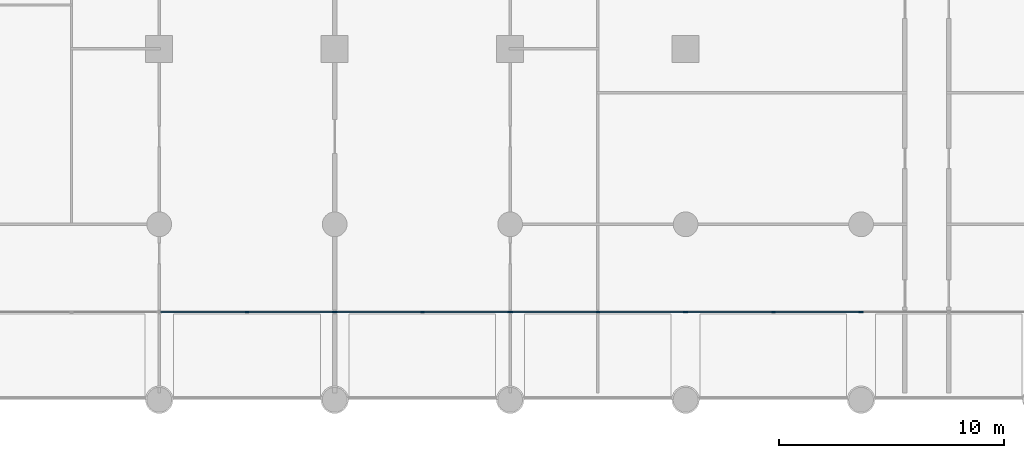
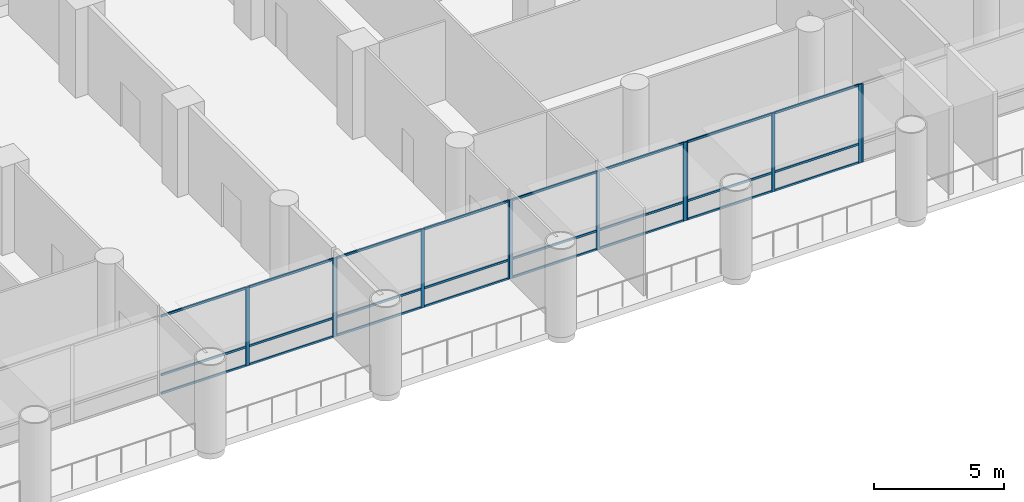
# One storey, part 4 of 23: 36 members, 5 elements without a shape of their own.
"""IFC4 building model written with IfcOpenShell, lengths in metres."""

from ifc_helpers import new_model, si_unit, direction, frame, origin, origin_2d, place, context, subcontext, project, spatial, rectangle, extrude, material, material_profile, profile_set, type_object, element, aggregate, save


model = new_model("IFC4")

# Units and contexts
model_context = context("Model", 3, precision=1e-05, world=origin(), true_north=direction((0.0, 1.0)))
body_context = subcontext(model_context, "Body", "Model", "MODEL_VIEW")
ifc_project = project(units=[si_unit("LENGTHUNIT", "METRE"), si_unit("AREAUNIT", "SQUARE_METRE"), si_unit("VOLUMEUNIT", "CUBIC_METRE"), si_unit("PLANEANGLEUNIT", "RADIAN"), si_unit("MASSUNIT", "GRAM", prefix="KILO")], contexts=[model_context])

# Site, building, storey
site_placement = place(None, origin())
site = spatial("IfcSite", under=ifc_project, at=site_placement, CompositionType="ELEMENT")
building_placement = place(site_placement, origin())
building = spatial("IfcBuilding", under=site, at=building_placement, Name="Ludao Terraces", CompositionType="ELEMENT")
storey_placement = place(building_placement, frame((0.0, 0.0, 10.5)))
storey = spatial("IfcBuildingStorey", under=building, at=storey_placement, Name="L02", CompositionType="ELEMENT", Elevation=10.5)

# Curtain wall, members
ifc_material_1 = material(Name="Aluminium curtain wall with fritted glass", Category="aluminium")
curtain_wall_type = type_object("IfcCurtainWallType", Name="ENV CW1 podium glazing", PredefinedType="NOTDEFINED", material=ifc_material_1)
curtain_wall_1_placement = place(storey_placement, origin())
curtain_wall_1 = element("IfcCurtainWall", 1, at=curtain_wall_1_placement, inside=storey, type_object=curtain_wall_type, Name="CW-L02-S5", PredefinedType="NOTDEFINED")
ifc_material_2 = material(Name="Aluminium 6063-T6", Category="aluminium")
ifc_material_profile_1 = material_profile(ifc_material_2, rectangle(XDim=0.06005859375, YDim=0.14990234375, at=origin_2d()), Name="60 X 150")
ifc_profile_set_1 = profile_set([ifc_material_profile_1], Name="Aluminium 6063-T6")
member_type_1 = type_object("IfcMemberType", Name="ENV CW1 mullion 60x150", PredefinedType="MULLION", material=ifc_profile_set_1)
member_1_placement = place(storey_placement, frame((81.10009765625, 29.89990234375, 0.0), z_axis=(0.0, 0.0, 1.0), x_axis=(0.0, 1.0, 0.0)))
member_1 = element("IfcMember", 2, at=member_1_placement, type_object=member_type_1, Name="CW1 mullion 2", PredefinedType="MULLION", context=body_context, shape_type="SweptSolid", body=[
    extrude(rectangle(XDim=0.06005859375, YDim=0.14990234375, at=origin_2d()), origin(), (0.0, 0.0, 1.0), 3.699951171875),
])
member_2_placement = place(storey_placement, frame((84.969970703125, 29.89990234375, 0.0), z_axis=(0.0, 0.0, 1.0), x_axis=(0.0, 1.0, 0.0)))
member_2 = element("IfcMember", 3, at=member_2_placement, type_object=member_type_1, Name="CW1 mullion 3", PredefinedType="MULLION", context=body_context, shape_type="SweptSolid", body=[
    extrude(rectangle(XDim=0.06005859375, YDim=0.14990234375, at=origin_2d()), origin(), (0.0, 0.0, 1.0), 3.699951171875),
])

curtain_wall_2_placement = place(storey_placement, origin())
curtain_wall_2 = element("IfcCurtainWall", 4, at=curtain_wall_2_placement, inside=storey, type_object=curtain_wall_type, Name="CW-L02-S6", PredefinedType="NOTDEFINED")
member_3_placement = place(storey_placement, frame((85.030029296875, 29.89990234375, 0.0), z_axis=(0.0, 0.0, 1.0), x_axis=(0.0, 1.0, 0.0)))
member_3 = element("IfcMember", 5, at=member_3_placement, type_object=member_type_1, Name="CW1 mullion 1", PredefinedType="MULLION", context=body_context, shape_type="SweptSolid", body=[
    extrude(rectangle(XDim=0.06005859375, YDim=0.14990234375, at=origin_2d()), origin(), (0.0, 0.0, 1.0), 3.699951171875),
])
member_4_placement = place(storey_placement, frame((88.89990234375, 29.89990234375, 0.0), z_axis=(0.0, 0.0, 1.0), x_axis=(0.0, 1.0, 0.0)))
member_4 = element("IfcMember", 6, at=member_4_placement, type_object=member_type_1, Name="CW1 mullion 2", PredefinedType="MULLION", context=body_context, shape_type="SweptSolid", body=[
    extrude(rectangle(XDim=0.06005859375, YDim=0.14990234375, at=origin_2d()), origin(), (0.0, 0.0, 1.0), 3.699951171875),
])
member_5_placement = place(storey_placement, frame((92.77001953125, 29.89990234375, 0.0), z_axis=(0.0, 0.0, 1.0), x_axis=(0.0, 1.0, 0.0)))
member_5 = element("IfcMember", 7, at=member_5_placement, type_object=member_type_1, Name="CW1 mullion 3", PredefinedType="MULLION", context=body_context, shape_type="SweptSolid", body=[
    extrude(rectangle(XDim=0.06005859375, YDim=0.14990234375, at=origin_2d()), origin(), (0.0, 0.0, 1.0), 3.699951171875),
])

curtain_wall_3_placement = place(storey_placement, origin())
curtain_wall_3 = element("IfcCurtainWall", 8, at=curtain_wall_3_placement, inside=storey, type_object=curtain_wall_type, Name="CW-L02-S7", PredefinedType="NOTDEFINED")
member_6_placement = place(storey_placement, frame((92.830078125, 29.89990234375, 0.0), z_axis=(0.0, 0.0, 1.0), x_axis=(0.0, 1.0, 0.0)))
member_6 = element("IfcMember", 9, at=member_6_placement, type_object=member_type_1, Name="CW1 mullion 1", PredefinedType="MULLION", context=body_context, shape_type="SweptSolid", body=[
    extrude(rectangle(XDim=0.06005859375, YDim=0.14990234375, at=origin_2d()), origin(), (0.0, 0.0, 1.0), 3.699951171875),
])
member_7_placement = place(storey_placement, frame((96.699951171875, 29.89990234375, 0.0), z_axis=(0.0, 0.0, 1.0), x_axis=(0.0, 1.0, 0.0)))
member_7 = element("IfcMember", 10, at=member_7_placement, type_object=member_type_1, Name="CW1 mullion 2", PredefinedType="MULLION", context=body_context, shape_type="SweptSolid", body=[
    extrude(rectangle(XDim=0.06005859375, YDim=0.14990234375, at=origin_2d()), origin(), (0.0, 0.0, 1.0), 3.699951171875),
])
member_8_placement = place(storey_placement, frame((100.570068359375, 29.89990234375, 0.0), z_axis=(0.0, 0.0, 1.0), x_axis=(0.0, 1.0, 0.0)))
member_8 = element("IfcMember", 11, at=member_8_placement, type_object=member_type_1, Name="CW1 mullion 3", PredefinedType="MULLION", context=body_context, shape_type="SweptSolid", body=[
    extrude(rectangle(XDim=0.06005859375, YDim=0.14990234375, at=origin_2d()), origin(), (0.0, 0.0, 1.0), 3.699951171875),
])

curtain_wall_4_placement = place(storey_placement, origin())
curtain_wall_4 = element("IfcCurtainWall", 12, at=curtain_wall_4_placement, inside=storey, type_object=curtain_wall_type, Name="CW-L02-S8", PredefinedType="NOTDEFINED")
member_9_placement = place(storey_placement, frame((100.6298828125, 29.89990234375, 0.0), z_axis=(0.0, 0.0, 1.0), x_axis=(0.0, 1.0, 0.0)))
member_9 = element("IfcMember", 13, at=member_9_placement, type_object=member_type_1, Name="CW1 mullion 1", PredefinedType="MULLION", context=body_context, shape_type="SweptSolid", body=[
    extrude(rectangle(XDim=0.06005859375, YDim=0.14990234375, at=origin_2d()), origin(), (0.0, 0.0, 1.0), 3.699951171875),
])
member_10_placement = place(storey_placement, frame((104.5, 29.89990234375, 0.0), z_axis=(0.0, 0.0, 1.0), x_axis=(0.0, 1.0, 0.0)))
member_10 = element("IfcMember", 14, at=member_10_placement, type_object=member_type_1, Name="CW1 mullion 2", PredefinedType="MULLION", context=body_context, shape_type="SweptSolid", body=[
    extrude(rectangle(XDim=0.06005859375, YDim=0.14990234375, at=origin_2d()), origin(), (0.0, 0.0, 1.0), 3.699951171875),
])
member_11_placement = place(storey_placement, frame((108.3701171875, 29.89990234375, 0.0), z_axis=(0.0, 0.0, 1.0), x_axis=(0.0, 1.0, 0.0)))
member_11 = element("IfcMember", 15, at=member_11_placement, type_object=member_type_1, Name="CW1 mullion 3", PredefinedType="MULLION", context=body_context, shape_type="SweptSolid", body=[
    extrude(rectangle(XDim=0.06005859375, YDim=0.14990234375, at=origin_2d()), origin(), (0.0, 0.0, 1.0), 3.699951171875),
])

# Curtain wall, member
curtain_wall_5_placement = place(storey_placement, origin())
curtain_wall_5 = element("IfcCurtainWall", 16, at=curtain_wall_5_placement, inside=storey, type_object=curtain_wall_type, Name="CW-L02-S9", PredefinedType="NOTDEFINED")
member_12_placement = place(storey_placement, frame((108.429931640625, 29.89990234375, 0.0), z_axis=(0.0, 0.0, 1.0), x_axis=(0.0, 1.0, 0.0)))
member_12 = element("IfcMember", 17, at=member_12_placement, type_object=member_type_1, Name="CW1 mullion 1", PredefinedType="MULLION", context=body_context, shape_type="SweptSolid", body=[
    extrude(rectangle(XDim=0.06005859375, YDim=0.14990234375, at=origin_2d()), origin(), (0.0, 0.0, 1.0), 3.699951171875),
])
aggregate(curtain_wall_5, [member_12])

# Member
ifc_material_profile_2 = material_profile(ifc_material_2, rectangle(XDim=0.06005859375, YDim=0.10009765625, at=origin_2d()), Name="60 X 100")
ifc_profile_set_2 = profile_set([ifc_material_profile_2], Name="Aluminium 6063-T6")
member_type_2 = type_object("IfcMemberType", Name="ENV CW1 transom 60x100", PredefinedType="USERDEFINED", material=ifc_profile_set_2)
member_13_placement = place(storey_placement, frame((77.260009765625, 29.89990234375, 0.030029296875), z_axis=(1.0, 0.0, 0.0), x_axis=(0.0, 1.0, 0.0)))
member_13 = element("IfcMember", 18, at=member_13_placement, type_object=member_type_2, Name="CW1 transom 1.1", ObjectType="TRANSOM", PredefinedType="USERDEFINED", context=body_context, shape_type="SweptSolid", body=[
    extrude(rectangle(XDim=0.06005859375, YDim=0.10009765625, at=origin_2d()), origin(), (0.0, 0.0, 1.0), 3.81005859375),
])

member_14_placement = place(storey_placement, frame((77.260009765625, 29.89990234375, 0.89990234375), z_axis=(1.0, 0.0, 0.0), x_axis=(0.0, 1.0, 0.0)))
member_14 = element("IfcMember", 19, at=member_14_placement, type_object=member_type_2, Name="CW1 transom 1.2", ObjectType="TRANSOM", PredefinedType="USERDEFINED", context=body_context, shape_type="SweptSolid", body=[
    extrude(rectangle(XDim=0.06005859375, YDim=0.10009765625, at=origin_2d()), origin(), (0.0, 0.0, 1.0), 3.81005859375),
])

member_15_placement = place(storey_placement, frame((77.260009765625, 29.89990234375, 3.669921875), z_axis=(1.0, 0.0, 0.0), x_axis=(0.0, 1.0, 0.0)))
member_15 = element("IfcMember", 20, at=member_15_placement, type_object=member_type_2, Name="CW1 transom 1.3", ObjectType="TRANSOM", PredefinedType="USERDEFINED", context=body_context, shape_type="SweptSolid", body=[
    extrude(rectangle(XDim=0.06005859375, YDim=0.10009765625, at=origin_2d()), origin(), (0.0, 0.0, 1.0), 3.81005859375),
])

member_16_placement = place(storey_placement, frame((81.1298828125, 29.89990234375, 0.030029296875), z_axis=(1.0, 0.0, 0.0), x_axis=(0.0, 1.0, 0.0)))
member_16 = element("IfcMember", 21, at=member_16_placement, type_object=member_type_2, Name="CW1 transom 2.1", ObjectType="TRANSOM", PredefinedType="USERDEFINED", context=body_context, shape_type="SweptSolid", body=[
    extrude(rectangle(XDim=0.06005859375, YDim=0.10009765625, at=origin_2d()), origin(), (0.0, 0.0, 1.0), 3.81005859375),
])

member_17_placement = place(storey_placement, frame((81.1298828125, 29.89990234375, 0.89990234375), z_axis=(1.0, 0.0, 0.0), x_axis=(0.0, 1.0, 0.0)))
member_17 = element("IfcMember", 22, at=member_17_placement, type_object=member_type_2, Name="CW1 transom 2.2", ObjectType="TRANSOM", PredefinedType="USERDEFINED", context=body_context, shape_type="SweptSolid", body=[
    extrude(rectangle(XDim=0.06005859375, YDim=0.10009765625, at=origin_2d()), origin(), (0.0, 0.0, 1.0), 3.81005859375),
])

member_18_placement = place(storey_placement, frame((81.1298828125, 29.89990234375, 3.669921875), z_axis=(1.0, 0.0, 0.0), x_axis=(0.0, 1.0, 0.0)))
member_18 = element("IfcMember", 23, at=member_18_placement, type_object=member_type_2, Name="CW1 transom 2.3", ObjectType="TRANSOM", PredefinedType="USERDEFINED", context=body_context, shape_type="SweptSolid", body=[
    extrude(rectangle(XDim=0.06005859375, YDim=0.10009765625, at=origin_2d()), origin(), (0.0, 0.0, 1.0), 3.81005859375),
])

aggregate(curtain_wall_1, [member_1, member_2, member_13, member_14, member_15, member_16, member_17, member_18])

member_19_placement = place(storey_placement, frame((85.06005859375, 29.89990234375, 0.030029296875), z_axis=(1.0, 0.0, 0.0), x_axis=(0.0, 1.0, 0.0)))
member_19 = element("IfcMember", 24, at=member_19_placement, type_object=member_type_2, Name="CW1 transom 1.1", ObjectType="TRANSOM", PredefinedType="USERDEFINED", context=body_context, shape_type="SweptSolid", body=[
    extrude(rectangle(XDim=0.06005859375, YDim=0.10009765625, at=origin_2d()), origin(), (0.0, 0.0, 1.0), 3.81005859375),
])

member_20_placement = place(storey_placement, frame((85.06005859375, 29.89990234375, 0.89990234375), z_axis=(1.0, 0.0, 0.0), x_axis=(0.0, 1.0, 0.0)))
member_20 = element("IfcMember", 25, at=member_20_placement, type_object=member_type_2, Name="CW1 transom 1.2", ObjectType="TRANSOM", PredefinedType="USERDEFINED", context=body_context, shape_type="SweptSolid", body=[
    extrude(rectangle(XDim=0.06005859375, YDim=0.10009765625, at=origin_2d()), origin(), (0.0, 0.0, 1.0), 3.81005859375),
])

member_21_placement = place(storey_placement, frame((85.06005859375, 29.89990234375, 3.669921875), z_axis=(1.0, 0.0, 0.0), x_axis=(0.0, 1.0, 0.0)))
member_21 = element("IfcMember", 26, at=member_21_placement, type_object=member_type_2, Name="CW1 transom 1.3", ObjectType="TRANSOM", PredefinedType="USERDEFINED", context=body_context, shape_type="SweptSolid", body=[
    extrude(rectangle(XDim=0.06005859375, YDim=0.10009765625, at=origin_2d()), origin(), (0.0, 0.0, 1.0), 3.81005859375),
])

member_22_placement = place(storey_placement, frame((88.929931640625, 29.89990234375, 0.030029296875), z_axis=(1.0, 0.0, 0.0), x_axis=(0.0, 1.0, 0.0)))
member_22 = element("IfcMember", 27, at=member_22_placement, type_object=member_type_2, Name="CW1 transom 2.1", ObjectType="TRANSOM", PredefinedType="USERDEFINED", context=body_context, shape_type="SweptSolid", body=[
    extrude(rectangle(XDim=0.06005859375, YDim=0.10009765625, at=origin_2d()), origin(), (0.0, 0.0, 1.0), 3.81005859375),
])

member_23_placement = place(storey_placement, frame((88.929931640625, 29.89990234375, 0.89990234375), z_axis=(1.0, 0.0, 0.0), x_axis=(0.0, 1.0, 0.0)))
member_23 = element("IfcMember", 28, at=member_23_placement, type_object=member_type_2, Name="CW1 transom 2.2", ObjectType="TRANSOM", PredefinedType="USERDEFINED", context=body_context, shape_type="SweptSolid", body=[
    extrude(rectangle(XDim=0.06005859375, YDim=0.10009765625, at=origin_2d()), origin(), (0.0, 0.0, 1.0), 3.81005859375),
])

member_24_placement = place(storey_placement, frame((88.929931640625, 29.89990234375, 3.669921875), z_axis=(1.0, 0.0, 0.0), x_axis=(0.0, 1.0, 0.0)))
member_24 = element("IfcMember", 29, at=member_24_placement, type_object=member_type_2, Name="CW1 transom 2.3", ObjectType="TRANSOM", PredefinedType="USERDEFINED", context=body_context, shape_type="SweptSolid", body=[
    extrude(rectangle(XDim=0.06005859375, YDim=0.10009765625, at=origin_2d()), origin(), (0.0, 0.0, 1.0), 3.81005859375),
])

aggregate(curtain_wall_2, [member_3, member_4, member_5, member_19, member_20, member_21, member_22, member_23, member_24])

member_25_placement = place(storey_placement, frame((92.860107421875, 29.89990234375, 0.030029296875), z_axis=(1.0, 0.0, 0.0), x_axis=(0.0, 1.0, 0.0)))
member_25 = element("IfcMember", 30, at=member_25_placement, type_object=member_type_2, Name="CW1 transom 1.1", ObjectType="TRANSOM", PredefinedType="USERDEFINED", context=body_context, shape_type="SweptSolid", body=[
    extrude(rectangle(XDim=0.06005859375, YDim=0.10009765625, at=origin_2d()), origin(), (0.0, 0.0, 1.0), 3.809814453125),
])

member_26_placement = place(storey_placement, frame((92.860107421875, 29.89990234375, 0.89990234375), z_axis=(1.0, 0.0, 0.0), x_axis=(0.0, 1.0, 0.0)))
member_26 = element("IfcMember", 31, at=member_26_placement, type_object=member_type_2, Name="CW1 transom 1.2", ObjectType="TRANSOM", PredefinedType="USERDEFINED", context=body_context, shape_type="SweptSolid", body=[
    extrude(rectangle(XDim=0.06005859375, YDim=0.10009765625, at=origin_2d()), origin(), (0.0, 0.0, 1.0), 3.809814453125),
])

member_27_placement = place(storey_placement, frame((92.860107421875, 29.89990234375, 3.669921875), z_axis=(1.0, 0.0, 0.0), x_axis=(0.0, 1.0, 0.0)))
member_27 = element("IfcMember", 32, at=member_27_placement, type_object=member_type_2, Name="CW1 transom 1.3", ObjectType="TRANSOM", PredefinedType="USERDEFINED", context=body_context, shape_type="SweptSolid", body=[
    extrude(rectangle(XDim=0.06005859375, YDim=0.10009765625, at=origin_2d()), origin(), (0.0, 0.0, 1.0), 3.809814453125),
])

member_28_placement = place(storey_placement, frame((96.72998046875, 29.89990234375, 0.030029296875), z_axis=(1.0, 0.0, 0.0), x_axis=(0.0, 1.0, 0.0)))
member_28 = element("IfcMember", 33, at=member_28_placement, type_object=member_type_2, Name="CW1 transom 2.1", ObjectType="TRANSOM", PredefinedType="USERDEFINED", context=body_context, shape_type="SweptSolid", body=[
    extrude(rectangle(XDim=0.06005859375, YDim=0.10009765625, at=origin_2d()), origin(), (0.0, 0.0, 1.0), 3.81005859375),
])

member_29_placement = place(storey_placement, frame((96.72998046875, 29.89990234375, 0.89990234375), z_axis=(1.0, 0.0, 0.0), x_axis=(0.0, 1.0, 0.0)))
member_29 = element("IfcMember", 34, at=member_29_placement, type_object=member_type_2, Name="CW1 transom 2.2", ObjectType="TRANSOM", PredefinedType="USERDEFINED", context=body_context, shape_type="SweptSolid", body=[
    extrude(rectangle(XDim=0.06005859375, YDim=0.10009765625, at=origin_2d()), origin(), (0.0, 0.0, 1.0), 3.81005859375),
])

member_30_placement = place(storey_placement, frame((96.72998046875, 29.89990234375, 3.669921875), z_axis=(1.0, 0.0, 0.0), x_axis=(0.0, 1.0, 0.0)))
member_30 = element("IfcMember", 35, at=member_30_placement, type_object=member_type_2, Name="CW1 transom 2.3", ObjectType="TRANSOM", PredefinedType="USERDEFINED", context=body_context, shape_type="SweptSolid", body=[
    extrude(rectangle(XDim=0.06005859375, YDim=0.10009765625, at=origin_2d()), origin(), (0.0, 0.0, 1.0), 3.81005859375),
])

aggregate(curtain_wall_3, [member_6, member_7, member_8, member_25, member_26, member_27, member_28, member_29, member_30])

member_31_placement = place(storey_placement, frame((100.659912109375, 29.89990234375, 0.030029296875), z_axis=(1.0, 0.0, 0.0), x_axis=(0.0, 1.0, 0.0)))
member_31 = element("IfcMember", 36, at=member_31_placement, type_object=member_type_2, Name="CW1 transom 1.1", ObjectType="TRANSOM", PredefinedType="USERDEFINED", context=body_context, shape_type="SweptSolid", body=[
    extrude(rectangle(XDim=0.06005859375, YDim=0.10009765625, at=origin_2d()), origin(), (0.0, 0.0, 1.0), 3.81005859375),
])

member_32_placement = place(storey_placement, frame((100.659912109375, 29.89990234375, 0.89990234375), z_axis=(1.0, 0.0, 0.0), x_axis=(0.0, 1.0, 0.0)))
member_32 = element("IfcMember", 37, at=member_32_placement, type_object=member_type_2, Name="CW1 transom 1.2", ObjectType="TRANSOM", PredefinedType="USERDEFINED", context=body_context, shape_type="SweptSolid", body=[
    extrude(rectangle(XDim=0.06005859375, YDim=0.10009765625, at=origin_2d()), origin(), (0.0, 0.0, 1.0), 3.81005859375),
])

member_33_placement = place(storey_placement, frame((100.659912109375, 29.89990234375, 3.669921875), z_axis=(1.0, 0.0, 0.0), x_axis=(0.0, 1.0, 0.0)))
member_33 = element("IfcMember", 38, at=member_33_placement, type_object=member_type_2, Name="CW1 transom 1.3", ObjectType="TRANSOM", PredefinedType="USERDEFINED", context=body_context, shape_type="SweptSolid", body=[
    extrude(rectangle(XDim=0.06005859375, YDim=0.10009765625, at=origin_2d()), origin(), (0.0, 0.0, 1.0), 3.81005859375),
])

member_34_placement = place(storey_placement, frame((104.530029296875, 29.89990234375, 0.030029296875), z_axis=(1.0, 0.0, 0.0), x_axis=(0.0, 1.0, 0.0)))
member_34 = element("IfcMember", 39, at=member_34_placement, type_object=member_type_2, Name="CW1 transom 2.1", ObjectType="TRANSOM", PredefinedType="USERDEFINED", context=body_context, shape_type="SweptSolid", body=[
    extrude(rectangle(XDim=0.06005859375, YDim=0.10009765625, at=origin_2d()), origin(), (0.0, 0.0, 1.0), 3.81005859375),
])

member_35_placement = place(storey_placement, frame((104.530029296875, 29.89990234375, 0.89990234375), z_axis=(1.0, 0.0, 0.0), x_axis=(0.0, 1.0, 0.0)))
member_35 = element("IfcMember", 40, at=member_35_placement, type_object=member_type_2, Name="CW1 transom 2.2", ObjectType="TRANSOM", PredefinedType="USERDEFINED", context=body_context, shape_type="SweptSolid", body=[
    extrude(rectangle(XDim=0.06005859375, YDim=0.10009765625, at=origin_2d()), origin(), (0.0, 0.0, 1.0), 3.81005859375),
])

member_36_placement = place(storey_placement, frame((104.530029296875, 29.89990234375, 3.669921875), z_axis=(1.0, 0.0, 0.0), x_axis=(0.0, 1.0, 0.0)))
member_36 = element("IfcMember", 41, at=member_36_placement, type_object=member_type_2, Name="CW1 transom 2.3", ObjectType="TRANSOM", PredefinedType="USERDEFINED", context=body_context, shape_type="SweptSolid", body=[
    extrude(rectangle(XDim=0.06005859375, YDim=0.10009765625, at=origin_2d()), origin(), (0.0, 0.0, 1.0), 3.81005859375),
])

aggregate(curtain_wall_4, [member_9, member_10, member_11, member_31, member_32, member_33, member_34, member_35, member_36])

save(model, "model.ifc")
